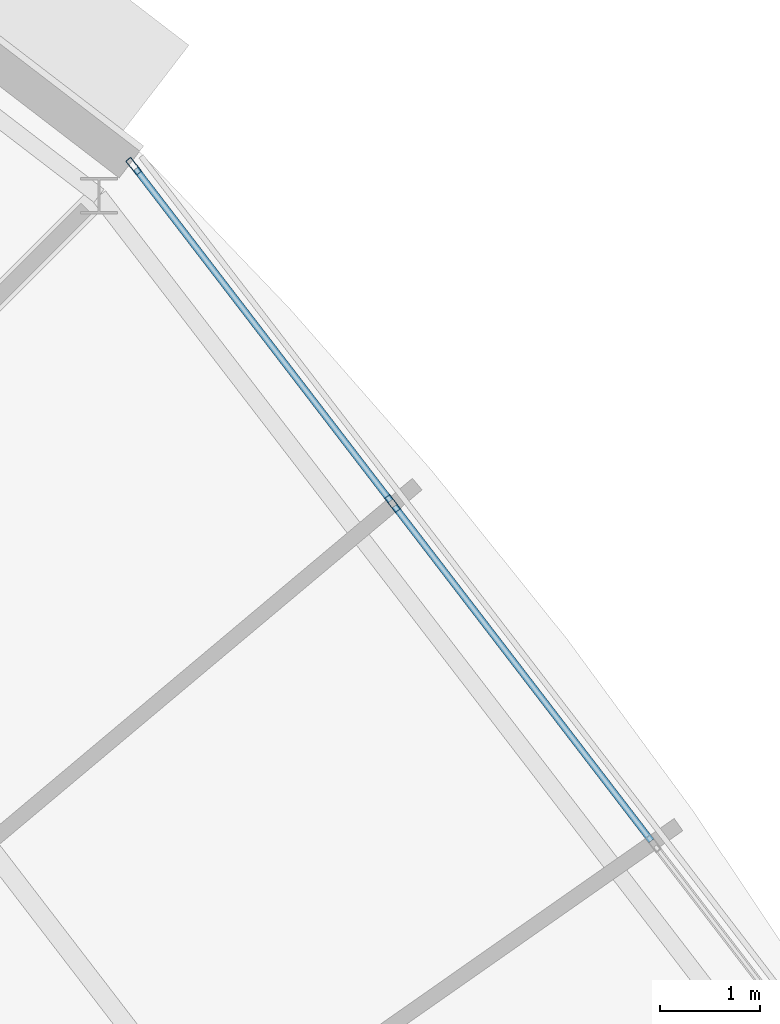
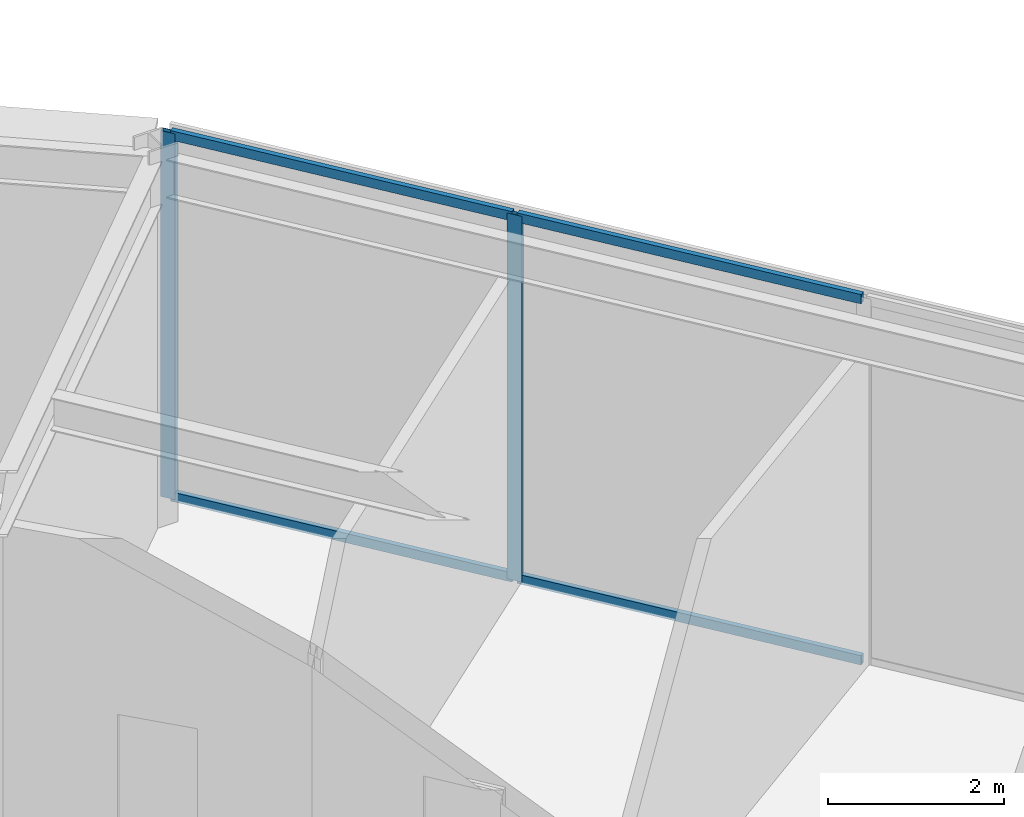
# One storey, part 91 of 168: 6 members, 1 element without a shape of its own.
"""IFC4 building model written with IfcOpenShell, lengths in metres."""

from ifc_helpers import new_model, si_unit, direction, frame, origin, origin_2d, place, context, subcontext, project, spatial, hollow_rectangle, extrude, material, material_profile, profile_set, type_object, element, aggregate, save


model = new_model("IFC4")

# Units and contexts
model_context = context("Model", 3, precision=1e-05, world=origin(), true_north=direction((0.0, 1.0)))
body_context = subcontext(model_context, "Body", "Model", "MODEL_VIEW")
ifc_project = project(units=[si_unit("LENGTHUNIT", "METRE"), si_unit("AREAUNIT", "SQUARE_METRE"), si_unit("VOLUMEUNIT", "CUBIC_METRE"), si_unit("PLANEANGLEUNIT", "RADIAN"), si_unit("MASSUNIT", "GRAM", prefix="KILO")], contexts=[model_context])

# Site, building, storey
site_placement = place(None, origin())
site = spatial("IfcSite", under=ifc_project, at=site_placement, CompositionType="ELEMENT")
building_placement = place(site_placement, origin())
building = spatial("IfcBuilding", under=site, at=building_placement, Name="Almandine Court Research Institute", CompositionType="ELEMENT")
storey_placement = place(building_placement, origin())
storey = spatial("IfcBuildingStorey", under=building, at=storey_placement, Name="L00", CompositionType="ELEMENT", Elevation=0.0)

# Curtain wall, members
ifc_material_1 = material(Name="Unitised Curtain Wall Framing and Solar Glazing", Category="glass")
curtain_wall_type = type_object("IfcCurtainWallType", Name="CW-CWJ-17", PredefinedType="USERDEFINED", material=ifc_material_1)
curtain_wall_placement = place(storey_placement, origin())
curtain_wall = element("IfcCurtainWall", 1, at=curtain_wall_placement, inside=storey, type_object=curtain_wall_type, Name="L00 Stacked-Ring Drum Outer Solar Jali Screen 02", ObjectType="SOLAR JALI SCREEN", PredefinedType="USERDEFINED")
ifc_material_2 = material(Name="Anodised Aluminium AW-6063-T6", Category="aluminium")
ifc_material_profile_1 = material_profile(ifc_material_2, hollow_rectangle(XDim=0.06494140625, YDim=0.179931640625, WallThickness=0.00390625, at=origin_2d()), Name="ALU RHS 65x180x4")
ifc_profile_set_1 = profile_set([ifc_material_profile_1], Name="Anodised Aluminium AW-6063-T6")
member_type_1 = type_object("IfcMemberType", Name="CWMul-65x180", PredefinedType="MULLION", material=ifc_profile_set_1)
member_1_placement = place(storey_placement, frame((121.92578125, 90.874267578125, 0.0), z_axis=(0.0, 0.0, 1.0), x_axis=(0.793382586046, 0.608723313303, 0.0)))
member_1 = element("IfcMember", 2, at=member_1_placement, type_object=member_type_1, Name="CWJ-17 mullion 1", PredefinedType="MULLION", context=body_context, shape_type="SweptSolid", body=[
    extrude(hollow_rectangle(XDim=0.06494140625, YDim=0.179931640625, WallThickness=0.00390625, at=origin_2d()), origin(), (0.0, 0.0, 1.0), 5.070068359375),
])
member_2_placement = place(storey_placement, frame((124.51904296875, 87.494384765625, 0.0), z_axis=(0.0, 0.0, 1.0), x_axis=(0.793382586046, 0.608723313303, 0.0)))
member_2 = element("IfcMember", 3, at=member_2_placement, type_object=member_type_1, Name="CWJ-17 mullion 2", PredefinedType="MULLION", context=body_context, shape_type="SweptSolid", body=[
    extrude(hollow_rectangle(XDim=0.06494140625, YDim=0.179931640625, WallThickness=0.00390625, at=origin_2d()), origin(), (0.0, 0.0, 1.0), 5.070068359375),
])
ifc_material_profile_2 = material_profile(ifc_material_2, hollow_rectangle(XDim=0.06494140625, YDim=0.1298828125, WallThickness=0.00390625, at=origin_2d()), Name="ALU RHS 65x130x4")
ifc_profile_set_2 = profile_set([ifc_material_profile_2], Name="Anodised Aluminium AW-6063-T6")
member_type_2 = type_object("IfcMemberType", Name="CWTrn-65x130", PredefinedType="NOTDEFINED", material=ifc_profile_set_2)
member_3_placement = place(storey_placement, frame((121.945556640625, 90.848388671875, 0.032470703125), z_axis=(0.608725941364, -0.793380569658, 0.0), x_axis=(0.793380569658, 0.608725941364, 0.0)))
member_3 = element("IfcMember", 4, at=member_3_placement, type_object=member_type_2, Name="CWJ-17 transom 1.1", ObjectType="TRANSOM", PredefinedType="USERDEFINED", context=body_context, shape_type="SweptSolid", body=[
    extrude(hollow_rectangle(XDim=0.06494140625, YDim=0.1298828125, WallThickness=0.00390625, at=origin_2d()), origin(), (0.0, 0.0, 1.0), 4.195068359375),
])
member_4_placement = place(storey_placement, frame((121.945556640625, 90.848388671875, 5.03759765625), z_axis=(0.608725941364, -0.793380569658, 0.0), x_axis=(0.793380569658, 0.608725941364, 0.0)))
member_4 = element("IfcMember", 5, at=member_4_placement, type_object=member_type_2, Name="CWJ-17 transom 1.2", ObjectType="TRANSOM", PredefinedType="USERDEFINED", context=body_context, shape_type="SweptSolid", body=[
    extrude(hollow_rectangle(XDim=0.06494140625, YDim=0.1298828125, WallThickness=0.00390625, at=origin_2d()), origin(), (0.0, 0.0, 1.0), 4.195068359375),
])
member_5_placement = place(storey_placement, frame((124.538818359375, 87.468505859375, 0.032470703125), z_axis=(0.608741867566, -0.793368349931, 0.0), x_axis=(0.793368349931, 0.608741867566, 0.0)))
member_5 = element("IfcMember", 6, at=member_5_placement, type_object=member_type_2, Name="CWJ-17 transom 2.1", ObjectType="TRANSOM", PredefinedType="USERDEFINED", context=body_context, shape_type="SweptSolid", body=[
    extrude(hollow_rectangle(XDim=0.06494140625, YDim=0.1298828125, WallThickness=0.00390625, at=origin_2d()), origin(), (0.0, 0.0, 1.0), 4.2275390625),
])
member_6_placement = place(storey_placement, frame((124.538818359375, 87.468505859375, 5.03759765625), z_axis=(0.608741867566, -0.793368349931, 0.0), x_axis=(0.793368349931, 0.608741867566, 0.0)))
member_6 = element("IfcMember", 7, at=member_6_placement, type_object=member_type_2, Name="CWJ-17 transom 2.2", ObjectType="TRANSOM", PredefinedType="USERDEFINED", context=body_context, shape_type="SweptSolid", body=[
    extrude(hollow_rectangle(XDim=0.06494140625, YDim=0.1298828125, WallThickness=0.00390625, at=origin_2d()), origin(), (0.0, 0.0, 1.0), 4.2275390625),
])
aggregate(curtain_wall, [member_1, member_2, member_3, member_4, member_5, member_6])

save(model, "model.ifc")
